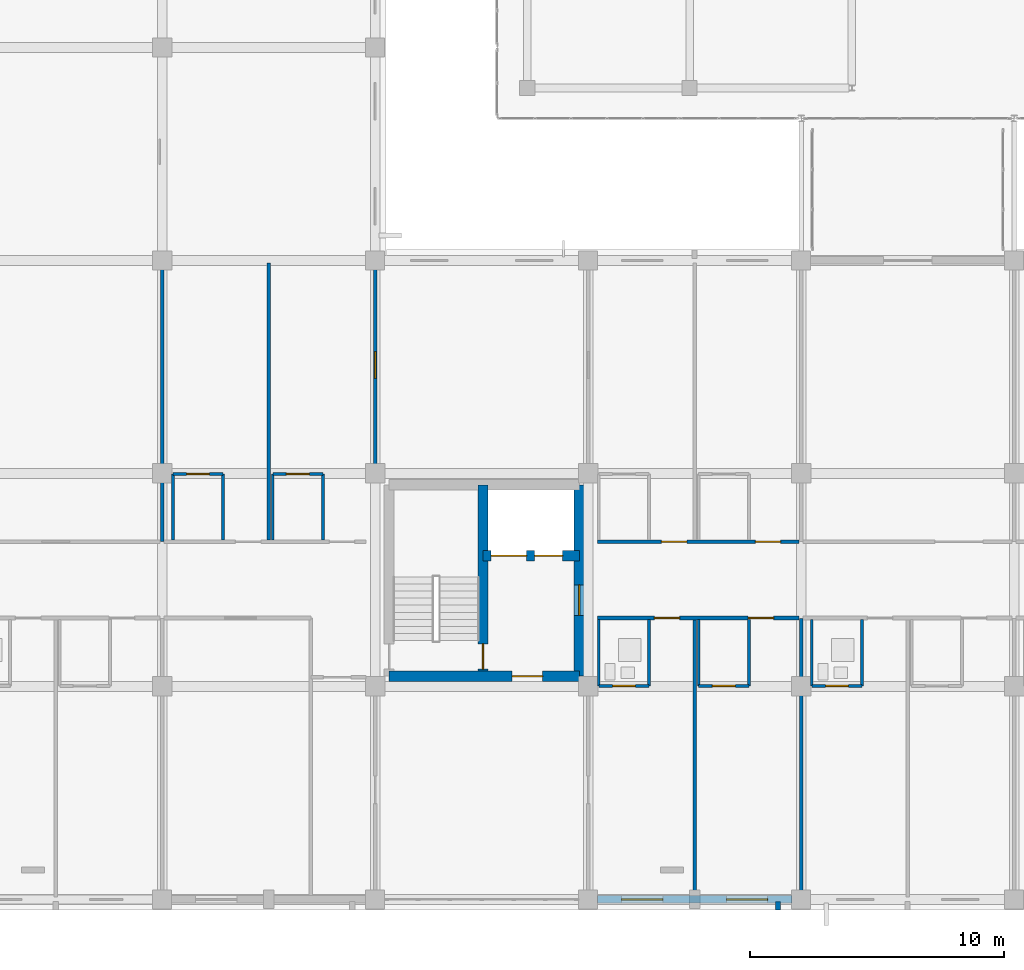
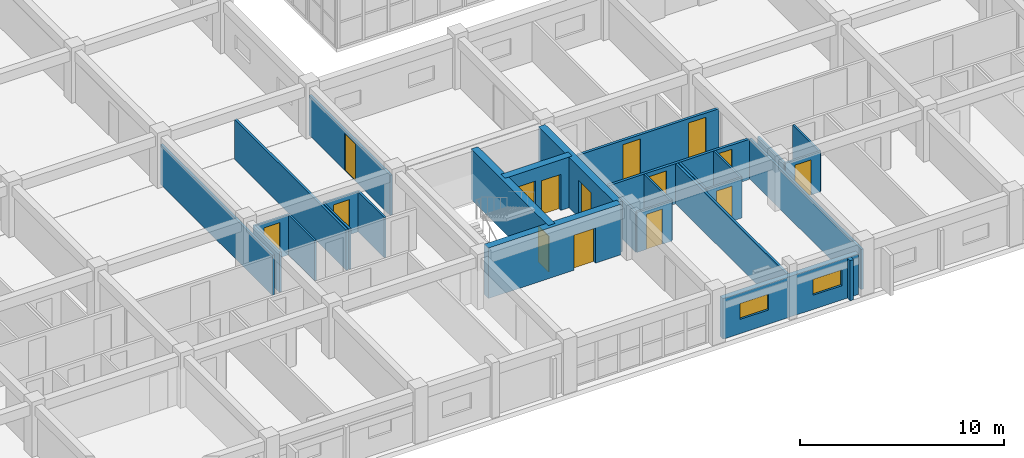
# One storey, part 164 of 200: 28 walls, 15 doors, 2 windows, 17 openings.
"""IFC4 building model written with IfcOpenShell, lengths in metres."""

from ifc_helpers import new_model, si_unit, direction, frame, frame_2d, origin, place, context, subcontext, project, spatial, rectangle, extrude, material, layer, layer_set, type_object, element, fill, save


model = new_model("IFC4")

# Units and contexts
model_context = context("Model", 3, precision=1e-05, world=origin(), true_north=direction((0.0, 1.0)))
body_context = subcontext(model_context, "Body", "Model", "MODEL_VIEW")
ifc_project = project(units=[si_unit("LENGTHUNIT", "METRE"), si_unit("AREAUNIT", "SQUARE_METRE"), si_unit("VOLUMEUNIT", "CUBIC_METRE"), si_unit("PLANEANGLEUNIT", "RADIAN"), si_unit("MASSUNIT", "GRAM", prefix="KILO")], contexts=[model_context])

# Site, building, storey
site_placement = place(None, origin())
site = spatial("IfcSite", under=ifc_project, at=site_placement, CompositionType="ELEMENT")
building_placement = place(site_placement, origin())
building = spatial("IfcBuilding", under=site, at=building_placement, Name="Trelvath General Hospital", CompositionType="ELEMENT")
storey_placement = place(building_placement, frame((0.0, 0.0, 4.800048828125)))
storey = spatial("IfcBuildingStorey", under=building, at=storey_placement, Name="L01", CompositionType="ELEMENT", Elevation=4.800048828125)

# Wall
ifc_material_1 = material(Name="Precast concrete C40/50", Category="concrete")
ifc_layer_1 = layer(ifc_material_1, 0.199951171875)
ifc_layer_set_1 = layer_set([ifc_layer_1], Name="Precast concrete C40/50")
wall_type_1 = type_object("IfcWallType", Name="BriseSoleilRib 200", PredefinedType="ELEMENTEDWALL", material=ifc_layer_set_1)
wall_1_placement = place(storey_placement, frame((57.893798828125, -0.074951171875, 0.0), z_axis=(0.0, 0.0, 1.0), x_axis=(0.0, -1.0, 0.0)))
element("IfcWall", 1, at=wall_1_placement, inside=storey, type_object=wall_type_1, Name="Precast Concrete Brise-Soleil Rib Fin L01-99", PredefinedType="ELEMENTEDWALL", context=body_context, shape_type="SweptSolid", body=[
    extrude(rectangle(XDim=0.340087890625, YDim=0.199951171875, at=frame_2d((0.169921875, 0.0))), origin(), (0.0, 0.0, 1.0), 2.39990234375),
])

# Wall, openings, doors
ifc_material_2 = material(Name="Gypsum acoustic steel-stud partition", Category="steel")
ifc_layer_2 = layer(ifc_material_2, 0.14990234375)
ifc_layer_set_2 = layer_set([ifc_layer_2], Name="Gypsum acoustic steel-stud partition")
wall_type_2 = type_object("IfcWallType", Name="ClinicalPartition 150", PredefinedType="PARTITIONING", material=ifc_layer_set_2)
wall_2_placement = place(storey_placement, frame((50.760009765625, 11.10009765625, 0.0), z_axis=(0.0, 0.0, 1.0), x_axis=(1.0, 0.0, 0.0)))
wall_2 = element("IfcWall", 2, at=wall_2_placement, inside=storey, type_object=wall_type_2, Name="Corridor Partition L01-389", PredefinedType="PARTITIONING", context=body_context, shape_type="SweptSolid", body=[
    extrude(rectangle(XDim=7.9599609375, YDim=0.14990234375, at=frame_2d((3.97998046875, 0.0))), origin(), (0.0, 0.0, 1.0), 2.39990234375),
])
opening_1_placement = place(wall_2_placement, frame((2.25, 0.0, 0.0)))
opening_1 = element("IfcOpeningElement", 3, at=opening_1_placement, cuts=wall_2, Name="Opening D-1-0481", PredefinedType="OPENING", context=body_context, shape_type="SweptSolid", body=[
    extrude(rectangle(XDim=1.0, YDim=2.14990234375, at=frame_2d((0.5, 1.074951171875))), frame((0.0, 0.0849609375, 0.0), z_axis=(0.0, -1.0, 0.0), x_axis=(1.0, 0.0, 0.0)), (0.0, 0.0, 1.0), 0.169921875),
])
opening_2_placement = place(wall_2_placement, frame((5.949951171875, 0.0, 0.0)))
opening_2 = element("IfcOpeningElement", 4, at=opening_2_placement, cuts=wall_2, Name="Opening D-1-0482", PredefinedType="OPENING", context=body_context, shape_type="SweptSolid", body=[
    extrude(rectangle(XDim=1.0, YDim=2.14990234375, at=frame_2d((0.5, 1.074951171875))), frame((0.0, 0.0849609375, 0.0), z_axis=(0.0, -1.0, 0.0), x_axis=(1.0, 0.0, 0.0)), (0.0, 0.0, 1.0), 0.169921875),
])
ifc_material_3 = material(Name="Acoustic hospital timber leaf", Category="wood")
door_type_1 = type_object("IfcDoorType", Name="Door Consult 1000x2150", OperationType="NOTDEFINED", PredefinedType="DOOR", material=ifc_material_3)
door_1_placement = place(opening_1_placement, origin())
door_1 = element("IfcDoor", 5, at=door_1_placement, inside=storey, type_object=door_type_1, Name="Patient Room Door L01-481", OperationType="SINGLE_SWING_RIGHT", OverallHeight=2.14990234375, OverallWidth=1.0, PredefinedType="DOOR", context=body_context, shape_type="SweptSolid", body=[
    extrude(rectangle(XDim=1.0, YDim=2.14990234375, at=frame_2d((0.5, 1.074951171875))), frame((0.0, 0.02490234375, 0.0), z_axis=(0.0, -1.0, 0.0), x_axis=(1.0, 0.0, 0.0)), (0.0, 0.0, 1.0), 0.050048828125),
])
fill(opening_1, door_1)
door_2_placement = place(opening_2_placement, origin())
door_2 = element("IfcDoor", 6, at=door_2_placement, inside=storey, type_object=door_type_1, Name="Patient Room Door L01-482", OperationType="SINGLE_SWING_LEFT", OverallHeight=2.14990234375, OverallWidth=1.0, PredefinedType="DOOR", context=body_context, shape_type="SweptSolid", body=[
    extrude(rectangle(XDim=1.0, YDim=2.14990234375, at=frame_2d((0.5, 1.074951171875))), frame((0.0, 0.02490234375, 0.0), z_axis=(0.0, -1.0, 0.0), x_axis=(1.0, 0.0, 0.0)), (0.0, 0.0, 1.0), 0.050048828125),
])
fill(opening_2, door_2)

wall_3_placement = place(storey_placement, frame((58.719970703125, 14.10009765625, 0.0), z_axis=(0.0, 0.0, 1.0), x_axis=(-1.0, 0.0, 0.0)))
wall_3 = element("IfcWall", 7, at=wall_3_placement, inside=storey, type_object=wall_type_2, Name="Corridor Partition N L01-398", PredefinedType="PARTITIONING", context=body_context, shape_type="SweptSolid", body=[
    extrude(rectangle(XDim=7.9599609375, YDim=0.14990234375, at=frame_2d((3.97998046875, 0.0))), origin(), (0.0, 0.0, 1.0), 2.39990234375),
])
opening_3_placement = place(wall_3_placement, frame((0.72998046875, 0.0, 0.0)))
opening_3 = element("IfcOpeningElement", 8, at=opening_3_placement, cuts=wall_3, Name="Opening D-1-0485", PredefinedType="OPENING", context=body_context, shape_type="SweptSolid", body=[
    extrude(rectangle(XDim=1.0, YDim=2.14990234375, at=frame_2d((0.5, 1.074951171875))), frame((0.0, 0.0849609375, 0.0), z_axis=(0.0, -1.0, 0.0), x_axis=(1.0, 0.0, 0.0)), (0.0, 0.0, 1.0), 0.169921875),
])
opening_4_placement = place(wall_3_placement, frame((4.429931640625, 0.0, 0.0)))
opening_4 = element("IfcOpeningElement", 9, at=opening_4_placement, cuts=wall_3, Name="Opening D-1-0486", PredefinedType="OPENING", context=body_context, shape_type="SweptSolid", body=[
    extrude(rectangle(XDim=1.0, YDim=2.14990234375, at=frame_2d((0.5, 1.074951171875))), frame((0.0, 0.0849609375, 0.0), z_axis=(0.0, -1.0, 0.0), x_axis=(1.0, 0.0, 0.0)), (0.0, 0.0, 1.0), 0.169921875),
])
door_3_placement = place(opening_3_placement, origin())
door_3 = element("IfcDoor", 10, at=door_3_placement, inside=storey, type_object=door_type_1, Name="Patient Room Door N L01-485", OperationType="SINGLE_SWING_RIGHT", OverallHeight=2.14990234375, OverallWidth=1.0, PredefinedType="DOOR", context=body_context, shape_type="SweptSolid", body=[
    extrude(rectangle(XDim=1.0, YDim=2.14990234375, at=frame_2d((0.5, 1.074951171875))), frame((0.0, 0.02490234375, 0.0), z_axis=(0.0, -1.0, 0.0), x_axis=(1.0, 0.0, 0.0)), (0.0, 0.0, 1.0), 0.050048828125),
])
fill(opening_3, door_3)
door_4_placement = place(opening_4_placement, origin())
door_4 = element("IfcDoor", 11, at=door_4_placement, inside=storey, type_object=door_type_1, Name="Patient Room Door N L01-486", OperationType="SINGLE_SWING_RIGHT", OverallHeight=2.14990234375, OverallWidth=1.0, PredefinedType="DOOR", context=body_context, shape_type="SweptSolid", body=[
    extrude(rectangle(XDim=1.0, YDim=2.14990234375, at=frame_2d((0.5, 1.074951171875))), frame((0.0, 0.02490234375, 0.0), z_axis=(0.0, -1.0, 0.0), x_axis=(1.0, 0.0, 0.0)), (0.0, 0.0, 1.0), 0.050048828125),
])
fill(opening_4, door_4)

# Wall, opening, door
ifc_material_4 = material(Name="Concrete C40/50", Category="concrete")
ifc_layer_3 = layer(ifc_material_4, 0.39990234375)
ifc_layer_set_3 = layer_set([ifc_layer_3], Name="Concrete C40/50")
wall_type_3 = type_object("IfcWallType", Name="CoreShearWall 400", PredefinedType="SHEAR", material=ifc_layer_set_3)
wall_4_placement = place(storey_placement, frame((42.550048828125, 8.800048828125, 0.0), z_axis=(0.0, 0.0, 1.0), x_axis=(1.0, 0.0, 0.0)))
wall_4 = element("IfcWall", 12, at=wall_4_placement, inside=storey, type_object=wall_type_3, Name="Core Shear Wall C4 S L01", PredefinedType="SHEAR", context=body_context, shape_type="SweptSolid", body=[
    extrude(rectangle(XDim=7.5, YDim=0.39990234375, at=frame_2d((3.75, 0.0))), origin(), (0.0, 0.0, 1.0), 3.02001953125),
])
opening_5_placement = place(wall_4_placement, frame((4.85009765625, 0.0, 0.0)))
opening_5 = element("IfcOpeningElement", 13, at=opening_5_placement, cuts=wall_4, Name="Opening FD-LS41", PredefinedType="OPENING", context=body_context, shape_type="SweptSolid", body=[
    extrude(rectangle(XDim=1.199951171875, YDim=2.10009765625, at=frame_2d((0.60009765625, 1.050048828125))), frame((0.0, 0.2099609375, 0.0), z_axis=(0.0, -1.0, 0.0), x_axis=(1.0, 0.0, 0.0)), (0.0, 0.0, 1.0), 0.419921875),
])
ifc_material_5 = material(Name="Fire-rated steel door", Category="steel")
door_type_2 = type_object("IfcDoorType", Name="Door FireLobby 1200x2100", OperationType="NOTDEFINED", PredefinedType="DOOR", material=ifc_material_5)
door_5_placement = place(opening_5_placement, origin())
door_5 = element("IfcDoor", 14, at=door_5_placement, inside=storey, type_object=door_type_2, Name="Fire Lobby South Door C4 L01", OperationType="SINGLE_SWING_LEFT", OverallHeight=2.10009765625, OverallWidth=1.199951171875, PredefinedType="DOOR", context=body_context, shape_type="SweptSolid", body=[
    extrude(rectangle(XDim=1.199951171875, YDim=2.10009765625, at=frame_2d((0.60009765625, 1.050048828125))), frame((0.0, 0.02490234375, 0.0), z_axis=(0.0, -1.0, 0.0), x_axis=(1.0, 0.0, 0.0)), (0.0, 0.0, 1.0), 0.050048828125),
])
fill(opening_5, door_5)

wall_5_placement = place(storey_placement, frame((50.050048828125, 8.800048828125, 0.0), z_axis=(0.0, 0.0, 1.0), x_axis=(0.0, 1.0, 0.0)))
wall_5 = element("IfcWall", 15, at=wall_5_placement, inside=storey, type_object=wall_type_3, Name="Core Shear Wall C4 E L01", PredefinedType="SHEAR", context=body_context, shape_type="SweptSolid", body=[
    extrude(rectangle(XDim=7.550048828125, YDim=0.39990234375, at=frame_2d((3.77490234375, 0.0))), origin(), (0.0, 0.0, 1.0), 3.02001953125),
])
opening_6_placement = place(wall_5_placement, frame((2.39990234375, 0.0, 0.0)))
opening_6 = element("IfcOpeningElement", 16, at=opening_6_placement, cuts=wall_5, Name="Opening FD-LE41", PredefinedType="OPENING", context=body_context, shape_type="SweptSolid", body=[
    extrude(rectangle(XDim=1.199951171875, YDim=2.199951171875, at=frame_2d((0.60009765625, 1.10009765625))), frame((0.0, 0.2099609375, 0.0), z_axis=(0.0, -1.0, 0.0), x_axis=(1.0, 0.0, 0.0)), (0.0, 0.0, 1.0), 0.419921875),
])
ifc_material_6 = material(Name="Fire-rated steel door", Category="steel")
door_type_3 = type_object("IfcDoorType", Name="Door FireLobby 1200x2200", OperationType="NOTDEFINED", PredefinedType="DOOR", material=ifc_material_6)
door_6_placement = place(opening_6_placement, origin())
door_6 = element("IfcDoor", 17, at=door_6_placement, inside=storey, type_object=door_type_3, Name="Fire Lobby East Corridor Door C4 L01", OperationType="SINGLE_SWING_RIGHT", OverallHeight=2.199951171875, OverallWidth=1.199951171875, PredefinedType="DOOR", context=body_context, shape_type="SweptSolid", body=[
    extrude(rectangle(XDim=1.199951171875, YDim=2.199951171875, at=frame_2d((0.60009765625, 1.10009765625))), frame((0.0, 0.02490234375, 0.0), z_axis=(0.0, -1.0, 0.0), x_axis=(1.0, 0.0, 0.0)), (0.0, 0.0, 1.0), 0.050048828125),
])
fill(opening_6, door_6)

wall_6_placement = place(storey_placement, frame((46.25, 8.800048828125, 0.0), z_axis=(0.0, 0.0, 1.0), x_axis=(0.0, 1.0, 0.0)))
wall_6 = element("IfcWall", 18, at=wall_6_placement, inside=storey, type_object=wall_type_3, Name="Core Shear Wall C4 SPINE L01", PredefinedType="SHEAR", context=body_context, shape_type="SweptSolid", body=[
    extrude(rectangle(XDim=7.550048828125, YDim=0.39990234375, at=frame_2d((3.77490234375, 0.0))), origin(), (0.0, 0.0, 1.0), 3.02001953125),
])
opening_7_placement = place(wall_6_placement, frame((0.280029296875, 0.0, 0.0)))
opening_7 = element("IfcOpeningElement", 19, at=opening_7_placement, cuts=wall_6, Name="Opening FD-S41", PredefinedType="OPENING", context=body_context, shape_type="SweptSolid", body=[
    extrude(rectangle(XDim=1.0, YDim=2.14990234375, at=frame_2d((0.5, 1.074951171875))), frame((0.0, 0.2099609375, 0.0), z_axis=(0.0, -1.0, 0.0), x_axis=(1.0, 0.0, 0.0)), (0.0, 0.0, 1.0), 0.419921875),
])
ifc_material_7 = material(Name="Fire-rated steel door", Category="steel")
door_type_4 = type_object("IfcDoorType", Name="Door FireStair 1100x2150", OperationType="NOTDEFINED", PredefinedType="DOOR", material=ifc_material_7)
door_7_placement = place(opening_7_placement, origin())
door_7 = element("IfcDoor", 20, at=door_7_placement, inside=storey, type_object=door_type_4, Name="Exit Stair Door ST4 L01", OperationType="SINGLE_SWING_LEFT", OverallHeight=2.14990234375, OverallWidth=1.0, PredefinedType="DOOR", context=body_context, shape_type="SweptSolid", body=[
    extrude(rectangle(XDim=1.0, YDim=2.14990234375, at=frame_2d((0.5, 1.074951171875))), frame((0.0, 0.02490234375, 0.0), z_axis=(0.0, -1.0, 0.0), x_axis=(1.0, 0.0, 0.0)), (0.0, 0.0, 1.0), 0.050048828125),
])
fill(opening_7, door_7)

# Wall, openings, doors
wall_7_placement = place(storey_placement, frame((46.25, 13.550048828125, 0.0), z_axis=(0.0, 0.0, 1.0), x_axis=(1.0, 0.0, 0.0)))
wall_7 = element("IfcWall", 21, at=wall_7_placement, inside=storey, type_object=wall_type_3, Name="Core Shear Wall C4 SHAFT L01", PredefinedType="SHEAR", context=body_context, shape_type="SweptSolid", body=[
    extrude(rectangle(XDim=3.800048828125, YDim=0.39990234375, at=frame_2d((1.89990234375, 0.0))), origin(), (0.0, 0.0, 1.0), 3.02001953125),
])
opening_8_placement = place(wall_7_placement, frame((0.320068359375, 0.0, 0.0)))
opening_8 = element("IfcOpeningElement", 22, at=opening_8_placement, cuts=wall_7, Name="Opening LD-BD3-1", PredefinedType="OPENING", context=body_context, shape_type="SweptSolid", body=[
    extrude(rectangle(XDim=1.39990234375, YDim=2.25, at=frame_2d((0.699951171875, 1.125))), frame((0.0, 0.2099609375, 0.0), z_axis=(0.0, -1.0, 0.0), x_axis=(1.0, 0.0, 0.0)), (0.0, 0.0, 1.0), 0.419921875),
])
opening_9_placement = place(wall_7_placement, frame((2.0400390625, 0.0, 0.0)))
opening_9 = element("IfcOpeningElement", 23, at=opening_9_placement, cuts=wall_7, Name="Opening LD-PA1-1", PredefinedType="OPENING", context=body_context, shape_type="SweptSolid", body=[
    extrude(rectangle(XDim=1.10009765625, YDim=2.14990234375, at=frame_2d((0.550048828125, 1.074951171875))), frame((0.0, 0.2099609375, 0.0), z_axis=(0.0, -1.0, 0.0), x_axis=(1.0, 0.0, 0.0)), (0.0, 0.0, 1.0), 0.419921875),
])
ifc_material_8 = material(Name="Stainless steel stretcher lift landing door", Category="steel")
door_type_5 = type_object("IfcDoorType", Name="Door LiftBed 1400x2250", OperationType="SLIDING_TO_LEFT", PredefinedType="DOOR", material=ifc_material_8)
door_8_placement = place(opening_8_placement, origin())
door_8 = element("IfcDoor", 24, at=door_8_placement, inside=storey, type_object=door_type_5, Name="Lift Landing Sliding Door LF-BD3 L01", OperationType="SLIDING_TO_LEFT", OverallHeight=2.25, OverallWidth=1.39990234375, PredefinedType="DOOR", context=body_context, shape_type="SweptSolid", body=[
    extrude(rectangle(XDim=1.39990234375, YDim=2.25, at=frame_2d((0.699951171875, 1.125))), frame((0.0, 0.02490234375, 0.0), z_axis=(0.0, -1.0, 0.0), x_axis=(1.0, 0.0, 0.0)), (0.0, 0.0, 1.0), 0.050048828125),
])
fill(opening_8, door_8)
ifc_material_9 = material(Name="Stainless steel lift landing sliding door", Category="steel")
door_type_6 = type_object("IfcDoorType", Name="Door LiftLanding 1100x2150", OperationType="SLIDING_TO_LEFT", PredefinedType="DOOR", material=ifc_material_9)
door_9_placement = place(opening_9_placement, origin())
door_9 = element("IfcDoor", 25, at=door_9_placement, inside=storey, type_object=door_type_6, Name="Lift Landing Sliding Door LF-PA1 L01", OperationType="SLIDING_TO_LEFT", OverallHeight=2.14990234375, OverallWidth=1.10009765625, PredefinedType="DOOR", context=body_context, shape_type="SweptSolid", body=[
    extrude(rectangle(XDim=1.10009765625, YDim=2.14990234375, at=frame_2d((0.550048828125, 1.074951171875))), frame((0.0, 0.02490234375, 0.0), z_axis=(0.0, -1.0, 0.0), x_axis=(1.0, 0.0, 0.0)), (0.0, 0.0, 1.0), 0.050048828125),
])
fill(opening_9, door_9)

# Walls
ifc_material_10 = material(Name="Moisture-resistant tile partition")
ifc_layer_4 = layer(ifc_material_10, 0.110107421875)
ifc_layer_set_4 = layer_set([ifc_layer_4], Name="Moisture-resistant tile partition")
wall_type_4 = type_object("IfcWallType", Name="EnSuiteWetWall 110", PredefinedType="PARTITIONING", material=ifc_layer_set_4)
for number, where, z_axis, x_axis, name in (
    (26, (34.02001953125, 14.169921875, 0.0), (0.0, 0.0, 1.0), (0.0, 1.0, 0.0), "En-Suite W Wall N L01-379"),
    (27, (36.0, 14.169921875, 0.0), (0.0, 0.0, 1.0), (0.0, 1.0, 0.0), "En-Suite E Wall N L01-380"),
):
    element("IfcWall", number, at=place(storey_placement, frame(where, z_axis=z_axis, x_axis=x_axis)), inside=storey, type_object=wall_type_4, Name=name, PredefinedType="PARTITIONING", context=body_context, shape_type="SweptSolid", body=[
        extrude(rectangle(XDim=2.610107421875, YDim=0.110107421875, at=frame_2d((1.30517578125, 0.0))), origin(), (0.0, 0.0, 1.0), 2.39990234375),
    ])

# Wall, opening, door
wall_8_placement = place(storey_placement, frame((34.02001953125, 16.780029296875, 0.0), z_axis=(0.0, 0.0, 1.0), x_axis=(1.0, 0.0, 0.0)))
wall_8 = element("IfcWall", 28, at=wall_8_placement, inside=storey, type_object=wall_type_4, Name="En-Suite Bathroom N Partition L01-381", PredefinedType="PARTITIONING", context=body_context, shape_type="SweptSolid", body=[
    extrude(rectangle(XDim=1.97998046875, YDim=0.110107421875, at=frame_2d((0.989990234375, 0.0))), origin(), (0.0, 0.0, 1.0), 2.39990234375),
])
opening_10_placement = place(wall_8_placement, frame((0.5400390625, 0.0, 0.0)))
opening_10 = element("IfcOpeningElement", 29, at=opening_10_placement, cuts=wall_8, Name="Opening D-1-0475", PredefinedType="OPENING", context=body_context, shape_type="SweptSolid", body=[
    extrude(rectangle(XDim=0.89990234375, YDim=2.10009765625, at=frame_2d((0.449951171875, 1.050048828125))), frame((0.0, 0.06494140625, 0.0), z_axis=(0.0, -1.0, 0.0), x_axis=(1.0, 0.0, 0.0)), (0.0, 0.0, 1.0), 0.130126953125),
])
ifc_material_11 = material(Name="Moisture-sealed timber leaf", Category="wood")
door_type_7 = type_object("IfcDoorType", Name="Door EnSuite 900x2100", OperationType="NOTDEFINED", PredefinedType="DOOR", material=ifc_material_11)
door_10_placement = place(opening_10_placement, origin())
door_10 = element("IfcDoor", 30, at=door_10_placement, inside=storey, type_object=door_type_7, Name="En-Suite Bathroom N Door L01-475", OperationType="SINGLE_SWING_RIGHT", OverallHeight=2.10009765625, OverallWidth=0.89990234375, PredefinedType="DOOR", context=body_context, shape_type="SweptSolid", body=[
    extrude(rectangle(XDim=0.89990234375, YDim=2.10009765625, at=frame_2d((0.449951171875, 1.050048828125))), frame((0.0, 0.02490234375, 0.0), z_axis=(0.0, -1.0, 0.0), x_axis=(1.0, 0.0, 0.0)), (0.0, 0.0, 1.0), 0.050048828125),
])
fill(opening_10, door_10)

# Walls
for number, where, z_axis, x_axis, name in (
    (31, (37.9599609375, 14.169921875, 0.0), (0.0, 0.0, 1.0), (0.0, 1.0, 0.0), "En-Suite W Wall N L01-382"),
    (32, (39.93994140625, 14.169921875, 0.0), (0.0, 0.0, 1.0), (0.0, 1.0, 0.0), "En-Suite E Wall N L01-383"),
):
    element("IfcWall", number, at=place(storey_placement, frame(where, z_axis=z_axis, x_axis=x_axis)), inside=storey, type_object=wall_type_4, Name=name, PredefinedType="PARTITIONING", context=body_context, shape_type="SweptSolid", body=[
        extrude(rectangle(XDim=2.610107421875, YDim=0.110107421875, at=frame_2d((1.30517578125, 0.0))), origin(), (0.0, 0.0, 1.0), 2.39990234375),
    ])

# Wall, opening, door
wall_9_placement = place(storey_placement, frame((37.9599609375, 16.780029296875, 0.0), z_axis=(0.0, 0.0, 1.0), x_axis=(1.0, 0.0, 0.0)))
wall_9 = element("IfcWall", 33, at=wall_9_placement, inside=storey, type_object=wall_type_4, Name="En-Suite Bathroom N Partition L01-384", PredefinedType="PARTITIONING", context=body_context, shape_type="SweptSolid", body=[
    extrude(rectangle(XDim=1.97998046875, YDim=0.110107421875, at=frame_2d((0.989990234375, 0.0))), origin(), (0.0, 0.0, 1.0), 2.39990234375),
])
opening_11_placement = place(wall_9_placement, frame((0.5400390625, 0.0, 0.0)))
opening_11 = element("IfcOpeningElement", 34, at=opening_11_placement, cuts=wall_9, Name="Opening D-1-0476", PredefinedType="OPENING", context=body_context, shape_type="SweptSolid", body=[
    extrude(rectangle(XDim=0.89990234375, YDim=2.10009765625, at=frame_2d((0.449951171875, 1.050048828125))), frame((0.0, 0.06494140625, 0.0), z_axis=(0.0, -1.0, 0.0), x_axis=(1.0, 0.0, 0.0)), (0.0, 0.0, 1.0), 0.130126953125),
])
door_11_placement = place(opening_11_placement, origin())
door_11 = element("IfcDoor", 35, at=door_11_placement, inside=storey, type_object=door_type_7, Name="En-Suite Bathroom N Door L01-476", OperationType="SINGLE_SWING_LEFT", OverallHeight=2.10009765625, OverallWidth=0.89990234375, PredefinedType="DOOR", context=body_context, shape_type="SweptSolid", body=[
    extrude(rectangle(XDim=0.89990234375, YDim=2.10009765625, at=frame_2d((0.449951171875, 1.050048828125))), frame((0.0, 0.02490234375, 0.0), z_axis=(0.0, -1.0, 0.0), x_axis=(1.0, 0.0, 0.0)), (0.0, 0.0, 1.0), 0.050048828125),
])
fill(opening_11, door_11)

# Walls
for number, where, z_axis, x_axis, name in (
    (36, (50.820068359375, 8.419921875, 0.0), (0.0, 0.0, 1.0), (0.0, 1.0, 0.0), "En-Suite W Wall L01-391"),
    (37, (52.800048828125, 8.419921875, 0.0), (0.0, 0.0, 1.0), (0.0, 1.0, 0.0), "En-Suite E Wall L01-392"),
):
    element("IfcWall", number, at=place(storey_placement, frame(where, z_axis=z_axis, x_axis=x_axis)), inside=storey, type_object=wall_type_4, Name=name, PredefinedType="PARTITIONING", context=body_context, shape_type="SweptSolid", body=[
        extrude(rectangle(XDim=2.610107421875, YDim=0.110107421875, at=frame_2d((1.30517578125, 0.0))), origin(), (0.0, 0.0, 1.0), 2.39990234375),
    ])

# Wall, opening, door
wall_10_placement = place(storey_placement, frame((50.820068359375, 8.419921875, 0.0), z_axis=(0.0, 0.0, 1.0), x_axis=(1.0, 0.0, 0.0)))
wall_10 = element("IfcWall", 38, at=wall_10_placement, inside=storey, type_object=wall_type_4, Name="En-Suite Bathroom Partition L01-393", PredefinedType="PARTITIONING", context=body_context, shape_type="SweptSolid", body=[
    extrude(rectangle(XDim=1.97998046875, YDim=0.110107421875, at=frame_2d((0.989990234375, 0.0))), origin(), (0.0, 0.0, 1.0), 2.39990234375),
])
opening_12_placement = place(wall_10_placement, frame((0.5400390625, 0.0, 0.0)))
opening_12 = element("IfcOpeningElement", 39, at=opening_12_placement, cuts=wall_10, Name="Opening D-1-0483", PredefinedType="OPENING", context=body_context, shape_type="SweptSolid", body=[
    extrude(rectangle(XDim=0.89990234375, YDim=2.10009765625, at=frame_2d((0.449951171875, 1.050048828125))), frame((0.0, 0.06494140625, 0.0), z_axis=(0.0, -1.0, 0.0), x_axis=(1.0, 0.0, 0.0)), (0.0, 0.0, 1.0), 0.130126953125),
])
door_12_placement = place(opening_12_placement, origin())
door_12 = element("IfcDoor", 40, at=door_12_placement, inside=storey, type_object=door_type_7, Name="En-Suite Bathroom Door L01-483", OperationType="SINGLE_SWING_RIGHT", OverallHeight=2.10009765625, OverallWidth=0.89990234375, PredefinedType="DOOR", context=body_context, shape_type="SweptSolid", body=[
    extrude(rectangle(XDim=0.89990234375, YDim=2.10009765625, at=frame_2d((0.449951171875, 1.050048828125))), frame((0.0, 0.02490234375, 0.0), z_axis=(0.0, -1.0, 0.0), x_axis=(1.0, 0.0, 0.0)), (0.0, 0.0, 1.0), 0.050048828125),
])
fill(opening_12, door_12)

# Walls
for number, where, z_axis, x_axis, name in (
    (41, (54.760009765625, 8.419921875, 0.0), (0.0, 0.0, 1.0), (0.0, 1.0, 0.0), "En-Suite W Wall L01-394"),
    (42, (56.739990234375, 8.419921875, 0.0), (0.0, 0.0, 1.0), (0.0, 1.0, 0.0), "En-Suite E Wall L01-395"),
):
    element("IfcWall", number, at=place(storey_placement, frame(where, z_axis=z_axis, x_axis=x_axis)), inside=storey, type_object=wall_type_4, Name=name, PredefinedType="PARTITIONING", context=body_context, shape_type="SweptSolid", body=[
        extrude(rectangle(XDim=2.610107421875, YDim=0.110107421875, at=frame_2d((1.30517578125, 0.0))), origin(), (0.0, 0.0, 1.0), 2.39990234375),
    ])

# Wall, opening, door
wall_11_placement = place(storey_placement, frame((54.760009765625, 8.419921875, 0.0), z_axis=(0.0, 0.0, 1.0), x_axis=(1.0, 0.0, 0.0)))
wall_11 = element("IfcWall", 43, at=wall_11_placement, inside=storey, type_object=wall_type_4, Name="En-Suite Bathroom Partition L01-396", PredefinedType="PARTITIONING", context=body_context, shape_type="SweptSolid", body=[
    extrude(rectangle(XDim=1.97998046875, YDim=0.110107421875, at=frame_2d((0.989990234375, 0.0))), origin(), (0.0, 0.0, 1.0), 2.39990234375),
])
opening_13_placement = place(wall_11_placement, frame((0.5400390625, 0.0, 0.0)))
opening_13 = element("IfcOpeningElement", 44, at=opening_13_placement, cuts=wall_11, Name="Opening D-1-0484", PredefinedType="OPENING", context=body_context, shape_type="SweptSolid", body=[
    extrude(rectangle(XDim=0.89990234375, YDim=2.10009765625, at=frame_2d((0.449951171875, 1.050048828125))), frame((0.0, 0.06494140625, 0.0), z_axis=(0.0, -1.0, 0.0), x_axis=(1.0, 0.0, 0.0)), (0.0, 0.0, 1.0), 0.130126953125),
])
door_13_placement = place(opening_13_placement, origin())
door_13 = element("IfcDoor", 45, at=door_13_placement, inside=storey, type_object=door_type_7, Name="En-Suite Bathroom Door L01-484", OperationType="SINGLE_SWING_LEFT", OverallHeight=2.10009765625, OverallWidth=0.89990234375, PredefinedType="DOOR", context=body_context, shape_type="SweptSolid", body=[
    extrude(rectangle(XDim=0.89990234375, YDim=2.10009765625, at=frame_2d((0.449951171875, 1.050048828125))), frame((0.0, 0.02490234375, 0.0), z_axis=(0.0, -1.0, 0.0), x_axis=(1.0, 0.0, 0.0)), (0.0, 0.0, 1.0), 0.050048828125),
])
fill(opening_13, door_13)

# Walls
for number, where, z_axis, x_axis, name in (
    (46, (59.219970703125, 8.419921875, 0.0), (0.0, 0.0, 1.0), (0.0, 1.0, 0.0), "En-Suite W Wall L01-410"),
    (47, (61.199951171875, 8.419921875, 0.0), (0.0, 0.0, 1.0), (0.0, 1.0, 0.0), "En-Suite E Wall L01-411"),
):
    element("IfcWall", number, at=place(storey_placement, frame(where, z_axis=z_axis, x_axis=x_axis)), inside=storey, type_object=wall_type_4, Name=name, PredefinedType="PARTITIONING", context=body_context, shape_type="SweptSolid", body=[
        extrude(rectangle(XDim=2.610107421875, YDim=0.110107421875, at=frame_2d((1.30517578125, 0.0))), origin(), (0.0, 0.0, 1.0), 2.39990234375),
    ])

# Wall, opening, door
wall_12_placement = place(storey_placement, frame((59.219970703125, 8.419921875, 0.0), z_axis=(0.0, 0.0, 1.0), x_axis=(1.0, 0.0, 0.0)))
wall_12 = element("IfcWall", 48, at=wall_12_placement, inside=storey, type_object=wall_type_4, Name="En-Suite Bathroom Partition L01-412", PredefinedType="PARTITIONING", context=body_context, shape_type="SweptSolid", body=[
    extrude(rectangle(XDim=1.97998046875, YDim=0.110107421875, at=frame_2d((0.989990234375, 0.0))), origin(), (0.0, 0.0, 1.0), 2.39990234375),
])
opening_14_placement = place(wall_12_placement, frame((0.5400390625, 0.0, 0.0)))
opening_14 = element("IfcOpeningElement", 49, at=opening_14_placement, cuts=wall_12, Name="Opening D-1-0491", PredefinedType="OPENING", context=body_context, shape_type="SweptSolid", body=[
    extrude(rectangle(XDim=0.89990234375, YDim=2.10009765625, at=frame_2d((0.449951171875, 1.050048828125))), frame((0.0, 0.06494140625, 0.0), z_axis=(0.0, -1.0, 0.0), x_axis=(1.0, 0.0, 0.0)), (0.0, 0.0, 1.0), 0.130126953125),
])
door_14_placement = place(opening_14_placement, origin())
door_14 = element("IfcDoor", 50, at=door_14_placement, inside=storey, type_object=door_type_7, Name="En-Suite Bathroom Door L01-491", OperationType="SINGLE_SWING_LEFT", OverallHeight=2.10009765625, OverallWidth=0.89990234375, PredefinedType="DOOR", context=body_context, shape_type="SweptSolid", body=[
    extrude(rectangle(XDim=0.89990234375, YDim=2.10009765625, at=frame_2d((0.449951171875, 1.050048828125))), frame((0.0, 0.02490234375, 0.0), z_axis=(0.0, -1.0, 0.0), x_axis=(1.0, 0.0, 0.0)), (0.0, 0.0, 1.0), 0.050048828125),
])
fill(opening_14, door_14)

# Wall, openings, windows
ifc_material_12 = material(Name="Concrete C35/45", Category="concrete")
ifc_layer_5 = layer(ifc_material_12, 0.2900390625)
ifc_layer_set_5 = layer_set([ifc_layer_5], Name="Concrete C35/45")
wall_type_5 = type_object("IfcWallType", Name="ExtBushHammeredWall 290", PredefinedType="SOLIDWALL", material=ifc_layer_set_5)
wall_13_placement = place(storey_placement, frame((58.429931640625, 0.0, 0.0), z_axis=(0.0, 0.0, 1.0), x_axis=(-1.0, 0.0, 0.0)))
wall_13 = element("IfcWall", 51, at=wall_13_placement, inside=storey, type_object=wall_type_5, Name="Exterior Concrete Wall L01-142", PredefinedType="SOLIDWALL", context=body_context, shape_type="SweptSolid", body=[
    extrude(rectangle(XDim=7.659912109375, YDim=0.2900390625, at=frame_2d((3.830078125, 0.0))), origin(), (0.0, 0.0, 1.0), 2.419921875),
])
opening_15_placement = place(wall_13_placement, frame((0.951904296875, 0.0, 0.85009765625)))
opening_15 = element("IfcOpeningElement", 52, at=opening_15_placement, cuts=wall_13, Name="Opening WN-1-213", PredefinedType="OPENING", context=body_context, shape_type="SweptSolid", body=[
    extrude(rectangle(XDim=1.6201171875, YDim=0.949951171875, at=frame_2d((0.81005859375, 0.47509765625))), frame((0.0, 0.155029296875, 0.0), z_axis=(0.0, -1.0, 0.0), x_axis=(1.0, 0.0, 0.0)), (0.0, 0.0, 1.0), 0.31005859375),
])
opening_16_placement = place(wall_13_placement, frame((5.088134765625, 0.0, 0.85009765625)))
opening_16 = element("IfcOpeningElement", 53, at=opening_16_placement, cuts=wall_13, Name="Opening WN-1-214", PredefinedType="OPENING", context=body_context, shape_type="SweptSolid", body=[
    extrude(rectangle(XDim=1.6201171875, YDim=0.949951171875, at=frame_2d((0.81005859375, 0.47509765625))), frame((0.0, 0.155029296875, 0.0), z_axis=(0.0, -1.0, 0.0), x_axis=(1.0, 0.0, 0.0)), (0.0, 0.0, 1.0), 0.31005859375),
])
ifc_material_13 = material(Name="Low-E laminated glass", Category="glass")
window_type = type_object("IfcWindowType", Name="Window EmergencyClere 1620x950", PartitioningType="DOUBLE_PANEL_VERTICAL", PredefinedType="WINDOW", material=ifc_material_13)
window_1_placement = place(opening_15_placement, origin())
window_1 = element("IfcWindow", 54, at=window_1_placement, inside=storey, type_object=window_type, Name="Solar Reveal Window L01-213", OverallHeight=0.949951171875, OverallWidth=1.6201171875, PartitioningType="SINGLE_PANEL", PredefinedType="WINDOW", context=body_context, shape_type="SweptSolid", body=[
    extrude(rectangle(XDim=1.6201171875, YDim=0.949951171875, at=frame_2d((0.81005859375, 0.47509765625))), frame((0.0, 0.030029296875, 0.0), z_axis=(0.0, -1.0, 0.0), x_axis=(1.0, 0.0, 0.0)), (0.0, 0.0, 1.0), 0.06005859375),
])
fill(opening_15, window_1)
window_2_placement = place(opening_16_placement, origin())
window_2 = element("IfcWindow", 55, at=window_2_placement, inside=storey, type_object=window_type, Name="Solar Reveal Window L01-214", OverallHeight=0.949951171875, OverallWidth=1.6201171875, PartitioningType="SINGLE_PANEL", PredefinedType="WINDOW", context=body_context, shape_type="SweptSolid", body=[
    extrude(rectangle(XDim=1.6201171875, YDim=0.949951171875, at=frame_2d((0.81005859375, 0.47509765625))), frame((0.0, 0.030029296875, 0.0), z_axis=(0.0, -1.0, 0.0), x_axis=(1.0, 0.0, 0.0)), (0.0, 0.0, 1.0), 0.06005859375),
])
fill(opening_16, window_2)

# Walls
ifc_material_14 = material(Name="Gypsum acoustic steel-stud partition", Category="steel")
ifc_layer_6 = layer(ifc_material_14, 0.1298828125)
ifc_layer_set_6 = layer_set([ifc_layer_6], Name="Gypsum acoustic steel-stud partition")
wall_type_6 = type_object("IfcWallType", Name="WardPartition 130", PredefinedType="PARTITIONING", material=ifc_layer_set_6)
wall_14_placement = place(storey_placement, frame((33.60009765625, 14.1201171875, 0.0), z_axis=(0.0, 0.0, 1.0), x_axis=(0.0, 1.0, 0.0)))
element("IfcWall", 56, at=wall_14_placement, inside=storey, type_object=wall_type_6, Name="Inter-Bay Ward Partition N L01-373", PredefinedType="PARTITIONING", context=body_context, shape_type="SweptSolid", body=[
    extrude(rectangle(XDim=10.93994140625, YDim=0.1298828125, at=frame_2d((5.469970703125, 0.0))), origin(), (0.0, 0.0, 1.0), 2.39990234375),
])
wall_15_placement = place(storey_placement, frame((37.800048828125, 14.169921875, 0.0), z_axis=(0.0, 0.0, 1.0), x_axis=(0.0, 1.0, 0.0)))
element("IfcWall", 57, at=wall_15_placement, inside=storey, type_object=wall_type_6, Name="Room Dividing Partition N L01-378", PredefinedType="PARTITIONING", context=body_context, shape_type="SweptSolid", body=[
    extrude(rectangle(XDim=10.93017578125, YDim=0.1298828125, at=frame_2d((5.465087890625, 0.0))), origin(), (0.0, 0.0, 1.0), 2.39990234375),
])

# Wall, opening, door
wall_16_placement = place(storey_placement, frame((42.0, 17.14990234375, 0.0), z_axis=(0.0, 0.0, 1.0), x_axis=(0.0, 1.0, 0.0)))
wall_16 = element("IfcWall", 58, at=wall_16_placement, inside=storey, type_object=wall_type_6, Name="Inter-Bay Ward Partition N L01-386", PredefinedType="PARTITIONING", context=body_context, shape_type="SweptSolid", body=[
    extrude(rectangle(XDim=7.91015625, YDim=0.1298828125, at=frame_2d((3.955078125, 0.0))), origin(), (0.0, 0.0, 1.0), 2.39990234375),
])
opening_17_placement = place(wall_16_placement, frame((3.39990234375, 0.0, 0.0)))
opening_17 = element("IfcOpeningElement", 59, at=opening_17_placement, cuts=wall_16, Name="Opening D-1-0478", PredefinedType="OPENING", context=body_context, shape_type="SweptSolid", body=[
    extrude(rectangle(XDim=1.050048828125, YDim=2.199951171875, at=frame_2d((0.52490234375, 1.10009765625))), frame((0.0, 0.074951171875, 0.0), z_axis=(0.0, -1.0, 0.0), x_axis=(1.0, 0.0, 0.0)), (0.0, 0.0, 1.0), 0.14990234375),
])
ifc_material_15 = material(Name="Acoustic hospital timber leaf", Category="wood")
door_type_8 = type_object("IfcDoorType", Name="Door Consult 1050x2200", OperationType="NOTDEFINED", PredefinedType="DOOR", material=ifc_material_15)
door_15_placement = place(opening_17_placement, origin())
door_15 = element("IfcDoor", 60, at=door_15_placement, inside=storey, type_object=door_type_8, Name="Consultation Connecting Door L01-478", OperationType="SINGLE_SWING_LEFT", OverallHeight=2.199951171875, OverallWidth=1.050048828125, PredefinedType="DOOR", context=body_context, shape_type="SweptSolid", body=[
    extrude(rectangle(XDim=1.050048828125, YDim=2.199951171875, at=frame_2d((0.52490234375, 1.10009765625))), frame((0.0, 0.02490234375, 0.0), z_axis=(0.0, -1.0, 0.0), x_axis=(1.0, 0.0, 0.0)), (0.0, 0.0, 1.0), 0.050048828125),
])
fill(opening_17, door_15)

# Walls
wall_17_placement = place(storey_placement, frame((54.60009765625, 0.10009765625, 0.0), z_axis=(0.0, 0.0, 1.0), x_axis=(0.0, 1.0, 0.0)))
element("IfcWall", 61, at=wall_17_placement, inside=storey, type_object=wall_type_6, Name="Room Dividing Partition S L01-390", PredefinedType="PARTITIONING", context=body_context, shape_type="SweptSolid", body=[
    extrude(rectangle(XDim=10.929931640625, YDim=0.1298828125, at=frame_2d((5.46484375, 0.0))), origin(), (0.0, 0.0, 1.0), 2.39990234375),
])
wall_18_placement = place(storey_placement, frame((58.800048828125, 0.139892578125, 0.0), z_axis=(0.0, 0.0, 1.0), x_axis=(0.0, 1.0, 0.0)))
element("IfcWall", 62, at=wall_18_placement, inside=storey, type_object=wall_type_6, Name="Inter-Bay Ward Partition S L01-406", PredefinedType="PARTITIONING", context=body_context, shape_type="SweptSolid", body=[
    extrude(rectangle(XDim=10.940185546875, YDim=0.1298828125, at=frame_2d((5.47021484375, 0.0))), origin(), (0.0, 0.0, 1.0), 2.39990234375),
])

save(model, "model.ifc")
